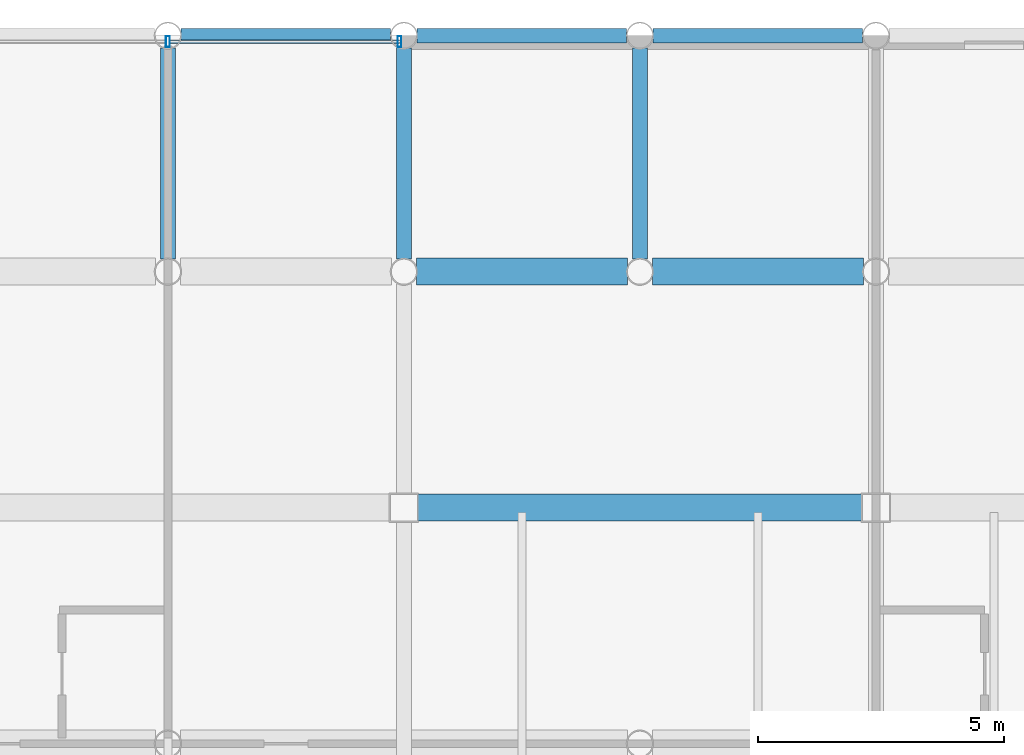
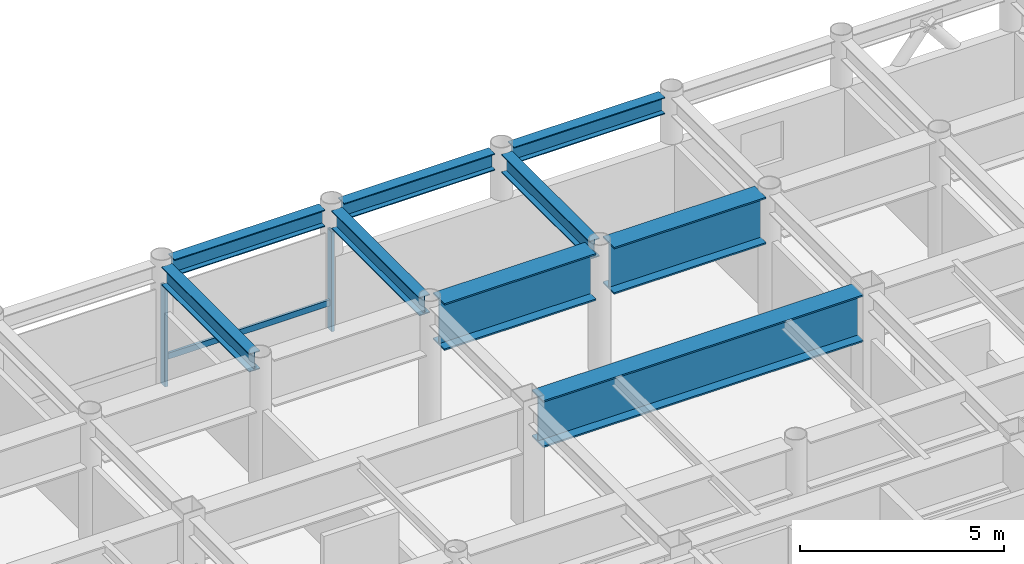
# One storey, part 15 of 25: 9 beams, 3 members, 1 element without a shape of its own.
"""IFC4 building model written with IfcOpenShell, lengths in metres."""

from ifc_helpers import new_model, si_unit, direction, frame, origin, origin_2d, place, context, subcontext, project, spatial, hollow_rectangle, i_section, extrude, material, layer, layer_set, material_profile, profile_set, type_object, element, aggregate, save


model = new_model("IFC4")

# Units and contexts
model_context = context("Model", 3, precision=1e-05, world=origin(), true_north=direction((0.0, 1.0)))
body_context = subcontext(model_context, "Body", "Model", "MODEL_VIEW")
ifc_project = project(units=[si_unit("LENGTHUNIT", "METRE"), si_unit("AREAUNIT", "SQUARE_METRE"), si_unit("VOLUMEUNIT", "CUBIC_METRE"), si_unit("PLANEANGLEUNIT", "RADIAN"), si_unit("MASSUNIT", "GRAM", prefix="KILO")], contexts=[model_context])

# Site, building, storey
site_placement = place(None, origin())
site = spatial("IfcSite", under=ifc_project, at=site_placement, CompositionType="ELEMENT")
building_placement = place(site_placement, origin())
building = spatial("IfcBuilding", under=site, at=building_placement, Name="Kallvorn Hotel Tower", CompositionType="ELEMENT")
storey_placement = place(building_placement, frame((0.0, 0.0, 249.25)))
storey = spatial("IfcBuildingStorey", under=building, at=storey_placement, Name="L62", CompositionType="ELEMENT", Elevation=249.25)

# Beams
ifc_material_1 = material(Name="Structural steel S355JR", Category="steel")
ifc_material_profile_1 = material_profile(ifc_material_1, i_section(OverallWidth=0.300048828125, OverallDepth=0.5, WebThickness=0.014404296875, FlangeThickness=0.028076171875, at=origin_2d()), Name="HE 500 B")
ifc_profile_set_1 = profile_set([ifc_material_profile_1], Name="Structural steel S355JR")
beam_type_1 = type_object("IfcBeamType", Name="BM_HE500B", PredefinedType="SPANDREL", material=ifc_profile_set_1)
for number, where, z_axis, x_axis, name in (
    (1, (0.26953125, 24.0, 3.419921875), (1.0, 0.0, 0.0), (0.0, 1.0, 0.0), "L63 Perimeter Spandrel 169"),
    (2, (5.069580078125, 24.0, 3.419921875), (1.0, 0.0, 0.0), (0.0, 1.0, 0.0), "L63 Perimeter Spandrel 170"),
):
    element("IfcBeam", number, at=place(storey_placement, frame(where, z_axis=z_axis, x_axis=x_axis)), inside=storey, type_object=beam_type_1, Name=name, PredefinedType="SPANDREL", context=body_context, shape_type="SweptSolid", body=[
        extrude(i_section(OverallWidth=0.300048828125, OverallDepth=0.5, WebThickness=0.014404296875, FlangeThickness=0.028076171875, at=origin_2d()), origin(), (0.0, 0.0, 1.0), 4.260986328125),
    ])
beam_1_placement = place(storey_placement, frame((9.869384765625, 24.0, 3.419921875), z_axis=(1.0, 0.0, 0.0), x_axis=(0.0, 1.0, 0.0)))
element("IfcBeam", 3, at=beam_1_placement, inside=storey, type_object=beam_type_1, Name="L63 Perimeter Spandrel 171", PredefinedType="SPANDREL", context=body_context, shape_type="SweptSolid", body=[
    extrude(i_section(OverallWidth=0.300048828125, OverallDepth=0.5, WebThickness=0.014404296875, FlangeThickness=0.028076171875, at=origin_2d()), origin(), (0.0, 0.0, 1.0), 4.26123046875),
])
ifc_material_2 = material(Name="Structural steel S355JR", Category="steel")
ifc_material_profile_2 = material_profile(ifc_material_2, i_section(OverallWidth=0.300048828125, OverallDepth=0.550048828125, WebThickness=0.014892578125, FlangeThickness=0.029052734375, at=origin_2d()), Name="HE 550 B")
ifc_profile_set_2 = profile_set([ifc_material_profile_2], Name="Structural steel S355JR")
beam_type_2 = type_object("IfcBeamType", Name="BM_HE550B", PredefinedType="SPANDREL", material=ifc_profile_set_2)
for number, where, z_axis, x_axis, name in (
    (4, (0.0, 19.45458984375, 3.39501953125), (0.0, 1.0, 0.0), (-1.0, 0.0, 0.0), "L63 Primary Y-Girder 113"),
    (5, (4.800048828125, 19.45458984375, 3.39501953125), (0.0, 1.0, 0.0), (-1.0, 0.0, 0.0), "L63 Primary Y-Girder 118"),
    (6, (9.60009765625, 19.45458984375, 3.39501953125), (0.0, 1.0, 0.0), (-1.0, 0.0, 0.0), "L63 Primary Y-Girder 121"),
):
    element("IfcBeam", number, at=place(storey_placement, frame(where, z_axis=z_axis, x_axis=x_axis)), inside=storey, type_object=beam_type_2, Name=name, PredefinedType="SPANDREL", context=body_context, shape_type="SweptSolid", body=[
        extrude(i_section(OverallWidth=0.300048828125, OverallDepth=0.550048828125, WebThickness=0.014892578125, FlangeThickness=0.029052734375, at=origin_2d()), origin(), (0.0, 0.0, 1.0), 4.291015625),
    ])
ifc_material_3 = material(Name="Structural steel S355JR", Category="steel")
ifc_material_profile_3 = material_profile(ifc_material_3, i_section(OverallWidth=0.550048828125, OverallDepth=1.39990234375, WebThickness=0.02490234375, FlangeThickness=0.044921875, at=origin_2d()), Name="PG 1400x550x25x45")
ifc_profile_set_3 = profile_set([ifc_material_profile_3], Name="Structural steel S355JR")
beam_type_3 = type_object("IfcBeamType", Name="BM_PG_1400", PredefinedType="BEAM", material=ifc_profile_set_3)
beam_2_placement = place(storey_placement, frame((5.074951171875, 14.39990234375, 2.969970703125), z_axis=(1.0, 0.0, 0.0), x_axis=(0.0, 1.0, 0.0)))
element("IfcBeam", 7, at=beam_2_placement, inside=storey, type_object=beam_type_3, Name="L63 Primary X-Girder 56", PredefinedType="BEAM", context=body_context, shape_type="SweptSolid", body=[
    extrude(i_section(OverallWidth=0.550048828125, OverallDepth=1.39990234375, WebThickness=0.02490234375, FlangeThickness=0.044921875, at=origin_2d()), origin(), (0.0, 0.0, 1.0), 9.050048828125),
])
for number, where, z_axis, x_axis, name in (
    (8, (5.054443359375, 19.199951171875, 2.969970703125), (1.0, 0.0, 0.0), (0.0, 1.0, 0.0), "L63 Primary X-Girder 68"),
    (9, (9.8544921875, 19.199951171875, 2.969970703125), (1.0, 0.0, 0.0), (0.0, 1.0, 0.0), "L63 Primary X-Girder 69"),
):
    element("IfcBeam", number, at=place(storey_placement, frame(where, z_axis=z_axis, x_axis=x_axis)), inside=storey, type_object=beam_type_3, Name=name, PredefinedType="BEAM", context=body_context, shape_type="SweptSolid", body=[
        extrude(i_section(OverallWidth=0.550048828125, OverallDepth=1.39990234375, WebThickness=0.02490234375, FlangeThickness=0.044921875, at=origin_2d()), origin(), (0.0, 0.0, 1.0), 4.291015625),
    ])

# Curtain wall, members
ifc_material_4 = material(Name="Thermally broken black-anodised aluminium AA 6063-T6", Category="aluminium")
ifc_layer = layer(ifc_material_4, 0.22998046875)
ifc_layer_set = layer_set([ifc_layer], Name="CW_SYS_5_HOTEL_HIGH")
curtain_wall_type = type_object("IfcCurtainWallType", Name="CW_SYS_5_HOTEL_HIGH", PredefinedType="USERDEFINED", material=ifc_layer_set)
curtain_wall_placement = place(storey_placement, origin())
curtain_wall = element("IfcCurtainWall", 10, at=curtain_wall_placement, inside=storey, type_object=curtain_wall_type, Name="L62 Dark-Glass Curtain Wall CW-L62-NC", ObjectType="UNITISED CURTAIN WALL", PredefinedType="USERDEFINED")
ifc_material_5 = material(Name="Thermally broken black-anodised aluminium AA 6063-T6", Category="aluminium")
ifc_material_profile_4 = material_profile(ifc_material_5, hollow_rectangle(XDim=0.080078125, YDim=0.219970703125, WallThickness=0.0048828125, at=origin_2d()), Name="MUL 220x80")
ifc_profile_set_4 = profile_set([ifc_material_profile_4], Name="Thermally broken black-anodised aluminium AA 6063-T6")
member_type_1 = type_object("IfcMemberType", Name="CW_MULLION_220x80", PredefinedType="MULLION", material=ifc_profile_set_4)
member_1_placement = place(storey_placement, frame((0.0, 23.8798828125, 0.02001953125), z_axis=(0.0, 0.0, 1.0), x_axis=(1.0, 0.0, 0.0)))
member_1 = element("IfcMember", 11, at=member_1_placement, type_object=member_type_1, Name="CW-L62-NC Mullion 01", PredefinedType="MULLION", context=body_context, shape_type="SweptSolid", body=[
    extrude(hollow_rectangle(XDim=0.080078125, YDim=0.219970703125, WallThickness=0.0048828125, at=origin_2d()), origin(), (0.0, 0.0, 1.0), 2.97998046875),
])
member_2_placement = place(storey_placement, frame((4.7099609375, 23.8798828125, 0.02001953125), z_axis=(0.0, 0.0, 1.0), x_axis=(1.0, 0.0, 0.0)))
member_2 = element("IfcMember", 12, at=member_2_placement, type_object=member_type_1, Name="CW-L62-NC Mullion 02", PredefinedType="MULLION", context=body_context, shape_type="SweptSolid", body=[
    extrude(hollow_rectangle(XDim=0.080078125, YDim=0.219970703125, WallThickness=0.0048828125, at=origin_2d()), origin(), (0.0, 0.0, 1.0), 2.97998046875),
])
ifc_material_6 = material(Name="Thermally broken black-anodised aluminium AA 6063-T6", Category="aluminium")
ifc_material_profile_5 = material_profile(ifc_material_6, hollow_rectangle(XDim=0.070068359375, YDim=0.179931640625, WallThickness=0.00390625, at=origin_2d()), Name="TRN 180x70")
ifc_profile_set_5 = profile_set([ifc_material_profile_5], Name="Thermally broken black-anodised aluminium AA 6063-T6")
member_type_2 = type_object("IfcMemberType", Name="CW_TRANSOM_180x70", PredefinedType="USERDEFINED", material=ifc_profile_set_5)
member_3_placement = place(storey_placement, frame((0.0400390625, 23.8798828125, 0.85009765625), z_axis=(1.0, 0.0, 0.0), x_axis=(0.0, 1.0, 0.0)))
member_3 = element("IfcMember", 13, at=member_3_placement, type_object=member_type_2, Name="CW-L62-NC Transom 01M", ObjectType="TRANSOM", PredefinedType="USERDEFINED", context=body_context, shape_type="SweptSolid", body=[
    extrude(hollow_rectangle(XDim=0.070068359375, YDim=0.179931640625, WallThickness=0.00390625, at=origin_2d()), origin(), (0.0, 0.0, 1.0), 4.669921875),
])
aggregate(curtain_wall, [member_1, member_2, member_3])

save(model, "model.ifc")
